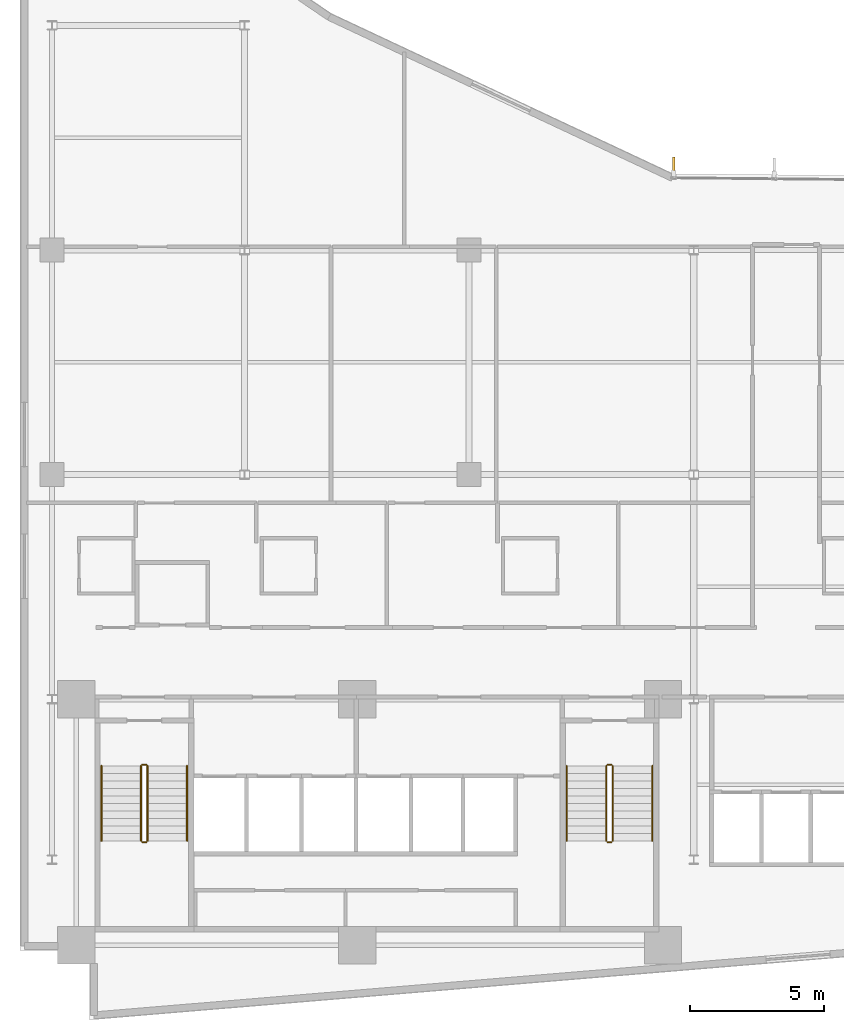
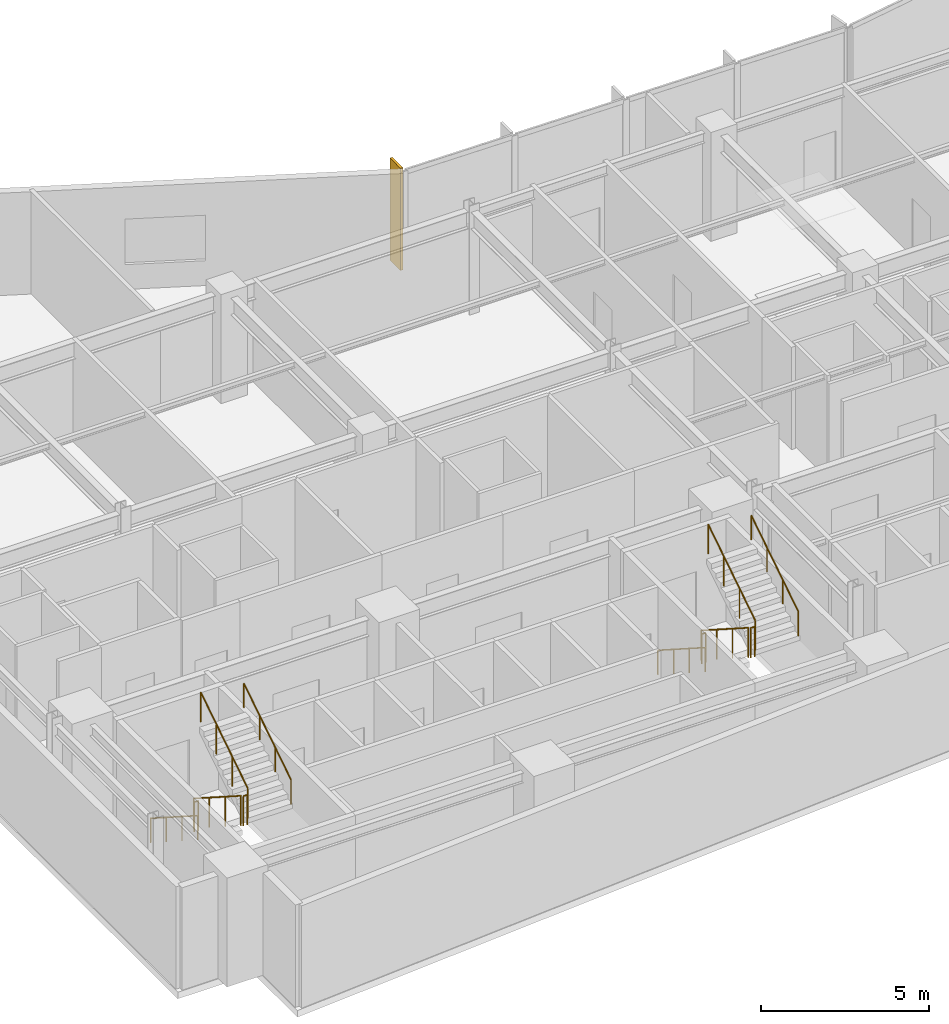
# One storey, part 15 of 19: 12 railings, 1 shading device.
"""IFC4 building model written with IfcOpenShell, lengths in metres."""

import ifcopenshell
import ifcopenshell.guid

model = None  # the IFC model being written
_history = None  # IfcOwnerHistory: only IFC2X3 demands one
_inside = {}  # id of a spatial element -> (the spatial element, [elements in it])
_under = {}  # id of a project, library or spatial element -> (it, [spatial elements below it])
_declared = {}  # id of a project -> (the project, [libraries it declares])
_typed = {}  # id of a type object -> (the type object, [elements of that type])
_made_of = {}  # id of a material, layer set ... -> (it, [elements and type objects made of it])


def new_model(schema):
    """Start an empty IFC model of exactly this schema.

    Asked for "IFC4X3", IfcOpenShell would pick the latest addendum, in which some entities
    have other attributes; the version numbers below select the first issue.
    IFC2X3 requires an IfcOwnerHistory on every rooted entity: one is made here for all.
    """
    global model, _history
    if schema == "IFC4X3":
        model = ifcopenshell.file(schema_version=(4, 3, 0, 0))
    else:
        model = ifcopenshell.file(schema=schema)
    _inside.clear()
    _under.clear()
    _declared.clear()
    _typed.clear()
    _made_of.clear()
    _history = None
    if model.schema == "IFC2X3":
        org = make("IfcOrganization", Name="unknown")
        user = make(
            "IfcPersonAndOrganization",
            ThePerson=make("IfcPerson", FamilyName="unknown"),
            TheOrganization=org,
        )
        app = make(
            "IfcApplication",
            ApplicationDeveloper=org,
            Version="unknown",
            ApplicationFullName="unknown",
            ApplicationIdentifier="unknown",
        )
        _history = make(
            "IfcOwnerHistory",
            OwningUser=user,
            OwningApplication=app,
            ChangeAction="ADDED",
            CreationDate=0,
        )
    return model


def make(cls, **values):
    """One entity of the class cls with the attributes given. An attribute that is None is left unset."""
    return model.create_entity(
        cls, **{name: value for name, value in values.items() if value is not None}
    )


def rooted(cls, **values):
    """An entity with a GlobalId (a new one), such as an element, a storey or a relation."""
    return make(cls, GlobalId=ifcopenshell.guid.new(), OwnerHistory=_history, **values)


def si_unit(unit_type, name, prefix=None):
    """IfcSIUnit, for example si_unit("LENGTHUNIT", "METRE", prefix="MILLI")."""
    return make("IfcSIUnit", UnitType=unit_type, Prefix=prefix, Name=name)


def assignment(units):
    """IfcUnitAssignment: the units of a project."""
    return None if units is None else make("IfcUnitAssignment", Units=units)


def point(xyz):
    """IfcCartesianPoint."""
    return None if xyz is None else make("IfcCartesianPoint", Coordinates=xyz)


def direction(xyz):
    """IfcDirection."""
    return None if xyz is None else make("IfcDirection", DirectionRatios=xyz)


def frame(location, z_axis=None, x_axis=None):
    """IfcAxis2Placement3D, a coordinate frame: its origin and axes. An axis left out is left unset."""
    return make(
        "IfcAxis2Placement3D",
        Location=point(location),
        Axis=direction(z_axis),
        RefDirection=direction(x_axis),
    )


def frame_2d(location, x_axis=None):
    """IfcAxis2Placement2D, a coordinate frame in the plane: its origin and x axis."""
    return make(
        "IfcAxis2Placement2D", Location=point(location), RefDirection=direction(x_axis)
    )


def origin():
    """The frame at (0, 0, 0) with its axes left unset."""
    return frame((0.0, 0.0, 0.0))


def origin_2d():
    """The frame at (0, 0) in the plane with its x axis left unset."""
    return frame_2d((0.0, 0.0))


def place(relative_to, where):
    """IfcLocalPlacement: puts the frame where relative to a parent placement (None: the world)."""
    return make(
        "IfcLocalPlacement", PlacementRelTo=relative_to, RelativePlacement=where
    )


def context(
    kind, dimensions, precision=None, world=None, true_north=None, identifier=None
):
    """IfcGeometricRepresentationContext, for example the 3D "Model" context."""
    return make(
        "IfcGeometricRepresentationContext",
        ContextIdentifier=identifier,
        ContextType=kind,
        CoordinateSpaceDimension=dimensions,
        Precision=precision,
        WorldCoordinateSystem=world,
        TrueNorth=true_north,
    )


def subcontext(parent, identifier, kind, view, scale=None):
    """IfcGeometricRepresentationSubContext, for example "Body" below "Model"."""
    return make(
        "IfcGeometricRepresentationSubContext",
        ContextIdentifier=identifier,
        ContextType=kind,
        ParentContext=parent,
        TargetScale=scale,
        TargetView=view,
    )


def project(units=None, contexts=None):
    """IfcProject with its units and contexts."""
    return rooted(
        "IfcProject",
        Name="project",
        RepresentationContexts=contexts,
        UnitsInContext=assignment(units),
    )


def spatial(cls, under=None, at=None, **own):
    """A site, building, storey or space (cls), placed at a placement, below another one or the project."""
    s = rooted(cls, ObjectPlacement=at, **own)
    if under is not None:
        _under.setdefault(under.id(), (under, []))[1].append(s)
    return s


def profile(cls, at=None, kind="AREA", **sizes):
    """A parametric profile (cls). Its sizes go by their IFC names, for example OverallWidth=200.0."""
    return make(cls, ProfileType=kind, Position=at, **sizes)


def rectangle(**sizes):
    """IfcRectangleProfileDef."""
    return profile("IfcRectangleProfileDef", **sizes)


def circle(**sizes):
    """IfcCircleProfileDef."""
    return profile("IfcCircleProfileDef", **sizes)


def extrude(swept, where, along, depth):
    """IfcExtrudedAreaSolid: the profile swept, set in the frame where, extruded along a direction by depth."""
    return make(
        "IfcExtrudedAreaSolid",
        SweptArea=swept,
        Position=where,
        ExtrudedDirection=direction(along),
        Depth=depth,
    )


def shape(context_of_items, identifier, shape_type, items):
    """IfcShapeRepresentation: the items that make up one representation, for example the "Body"."""
    return make(
        "IfcShapeRepresentation",
        ContextOfItems=context_of_items,
        RepresentationIdentifier=identifier,
        RepresentationType=shape_type,
        Items=items,
    )


def material(Name=None, Category=None):
    """IfcMaterial."""
    return make("IfcMaterial", Name=Name, Category=Category)


def layer(
    of_material, thickness, ventilated=None, Name=None, Category=None, Priority=None
):
    """IfcMaterialLayer: one layer of a wall or slab, of a material (None: an air gap)."""
    return make(
        "IfcMaterialLayer",
        Material=of_material,
        LayerThickness=thickness,
        IsVentilated=ventilated,
        Name=Name,
        Category=Category,
        Priority=Priority,
    )


def layer_set(layers, Name=None):
    """IfcMaterialLayerSet."""
    return make("IfcMaterialLayerSet", MaterialLayers=layers, LayerSetName=Name)


def made_of(thing, what):
    """Note that an element or type object is made of a material, layer set ...; save() writes the relation."""
    if what is not None:
        _made_of.setdefault(what.id(), (what, []))[1].append(thing)
    return thing


def type_object(cls, material=None, **own):
    """A type object (cls), such as IfcWallType, which elements share."""
    return made_of(rooted(cls, **own), material)


def element(
    cls,
    number,
    at=None,
    inside=None,
    cuts=None,
    type_object=None,
    material=None,
    context=None,
    identifier="Body",
    shape_type=None,
    held_by="IfcProductDefinitionShape",
    body=None,
    shapes=None,
    **own,
):
    """One element of the class cls, such as IfcWall. Its Tag is "e" and its number.

    at: its placement. inside: the storey or other place that contains it. cuts: it is an
    opening in that element (IfcRelVoidsElement). A single representation is given by context,
    identifier, shape_type and body (its items); several are given by shapes. held_by: the class
    of the entity that holds the representations. save() writes the other relations.
    """
    e = rooted(cls, Tag="e%d" % number, ObjectPlacement=at, **own)
    if body is not None:
        shapes = [shape(context, identifier, shape_type, body)]
    if shapes is not None:
        e.Representation = make(held_by, Representations=shapes)
    if inside is not None:
        _inside.setdefault(inside.id(), (inside, []))[1].append(e)
    if cuts is not None:
        rooted(
            "IfcRelVoidsElement", RelatingBuildingElement=cuts, RelatedOpeningElement=e
        )
    if type_object is not None:
        _typed.setdefault(type_object.id(), (type_object, []))[1].append(e)
    return made_of(e, material)


def aggregate(whole, parts):
    """IfcRelAggregates: a whole, such as a stair, and the parts it consists of."""
    return rooted("IfcRelAggregates", RelatingObject=whole, RelatedObjects=parts)


def save(model, path):
    """Write the relations noted so far, then the file.

    IfcRelAggregates (storeys below a building ...), IfcRelContainedInSpatialStructure (elements
    in a storey), IfcRelDefinesByType, IfcRelAssociatesMaterial and IfcRelDeclares: one each for
    every whole, place, type object, material and project.
    """
    for whole, parts in _under.values():
        aggregate(whole, parts)
    for where, things in _inside.values():
        rooted(
            "IfcRelContainedInSpatialStructure",
            RelatedElements=things,
            RelatingStructure=where,
        )
    for kind, things in _typed.values():
        rooted("IfcRelDefinesByType", RelatedObjects=things, RelatingType=kind)
    for what, things in _made_of.values():
        rooted("IfcRelAssociatesMaterial", RelatedObjects=things, RelatingMaterial=what)
    for by, libraries in _declared.values():
        rooted("IfcRelDeclares", RelatingContext=by, RelatedDefinitions=libraries)
    model.write(path)


model = new_model("IFC4")

# Units and contexts
model_context = context("Model", 3, precision=1e-05, world=origin(), true_north=direction((0.0, 1.0)))
body_context = subcontext(model_context, "Body", "Model", "MODEL_VIEW")
ifc_project = project(units=[si_unit("LENGTHUNIT", "METRE"), si_unit("AREAUNIT", "SQUARE_METRE"), si_unit("VOLUMEUNIT", "CUBIC_METRE"), si_unit("PLANEANGLEUNIT", "RADIAN"), si_unit("MASSUNIT", "GRAM", prefix="KILO")], contexts=[model_context])

# Site, building, storey
site_placement = place(None, origin())
site = spatial("IfcSite", under=ifc_project, at=site_placement, CompositionType="ELEMENT")
building_placement = place(site_placement, origin())
building = spatial("IfcBuilding", under=site, at=building_placement, Name="Varnakote Quay Hospital", CompositionType="ELEMENT")
storey_placement = place(building_placement, frame((0.0, 0.0, 54.10009765625)))
storey = spatial("IfcBuildingStorey", under=building, at=storey_placement, Name="L13", CompositionType="ELEMENT", Elevation=54.10009765625)

# Railings
ifc_material_1 = material(Name="Brushed stainless steel balustrade", Category="steel")
railing_type_1 = type_object("IfcRailingType", Name="RLG-STAIR-GUARD-1150", PredefinedType="GUARDRAIL", material=ifc_material_1)
railing_1_placement = place(storey_placement, frame((4.530029296875, 9.5, 0.179443359375)))
element("IfcRailing", 1, at=railing_1_placement, inside=storey, type_object=railing_type_1, Name="L13 ST-01 stair guard 1", PredefinedType="GUARDRAIL", context=body_context, shape_type="SweptSolid", body=[
    extrude(circle(Radius=0.02392578125, at=origin_2d()), frame((0.0, 0.0, 1.076171875), z_axis=(0.0, -0.841809871826, 0.539774156196), x_axis=(1.0, 0.0, 0.0)), (0.0, 0.0, 1.0), 3.326171875),
    extrude(circle(Radius=0.02099609375, at=origin_2d()), origin(), (0.0, 0.0, 1.0), 1.052001953125),
    extrude(circle(Radius=0.02099609375, at=origin_2d()), frame((0.0, -0.933349609375, 0.598388671875)), (0.0, 0.0, 1.0), 1.052001953125),
    extrude(circle(Radius=0.02099609375, at=origin_2d()), frame((0.0, -1.86669921875, 1.197021484375)), (0.0, 0.0, 1.0), 1.052001953125),
    extrude(circle(Radius=0.02099609375, at=origin_2d()), frame((0.0, -2.800048828125, 1.79541015625)), (0.0, 0.0, 1.0), 1.052001953125),
])
railing_2_placement = place(storey_placement, frame((4.580078125, 6.64990234375, 1.974853515625)))
element("IfcRailing", 2, at=railing_2_placement, inside=storey, type_object=railing_type_1, Name="L13 ST-01 stair guard 2", PredefinedType="GUARDRAIL", context=body_context, shape_type="SweptSolid", body=[
    extrude(circle(Radius=0.02392578125, at=origin_2d()), frame((0.0, 0.0, 1.076171875), z_axis=(1.0, 0.0, 0.0), x_axis=(0.0, 1.0, 0.0)), (0.0, 0.0, 1.0), 0.139892578125),
    extrude(circle(Radius=0.02099609375, at=origin_2d()), origin(), (0.0, 0.0, 1.0), 1.052001953125),
    extrude(circle(Radius=0.02099609375, at=origin_2d()), frame((0.139892578125, 0.0, 0.0)), (0.0, 0.0, 1.0), 1.052001953125),
])
railing_3_placement = place(storey_placement, frame((4.77001953125, 6.699951171875, 2.154541015625)))
element("IfcRailing", 3, at=railing_3_placement, inside=storey, type_object=railing_type_1, Name="L13 ST-01 stair guard 3", PredefinedType="GUARDRAIL", context=body_context, shape_type="SweptSolid", body=[
    extrude(circle(Radius=0.02392578125, at=origin_2d()), frame((0.0, 0.0, 1.076171875), z_axis=(0.0, 0.841809871826, 0.539774156196), x_axis=(-1.0, 0.0, 0.0)), (0.0, 0.0, 1.0), 3.326171875),
    extrude(circle(Radius=0.02099609375, at=origin_2d()), origin(), (0.0, 0.0, 1.0), 1.052001953125),
    extrude(circle(Radius=0.02099609375, at=origin_2d()), frame((0.0, 0.933349609375, 0.598388671875)), (0.0, 0.0, 1.0), 1.052001953125),
    extrude(circle(Radius=0.02099609375, at=origin_2d()), frame((0.0, 1.86669921875, 1.197021484375)), (0.0, 0.0, 1.0), 1.052001953125),
    extrude(circle(Radius=0.02099609375, at=origin_2d()), frame((0.0, 2.800048828125, 1.79541015625)), (0.0, 0.0, 1.0), 1.052001953125),
])
railing_4_placement = place(storey_placement, frame((4.580078125, 9.550048828125, 0.0)))
element("IfcRailing", 4, at=railing_4_placement, inside=storey, type_object=railing_type_1, Name="L13 ST-01 stair guard 4", PredefinedType="GUARDRAIL", context=body_context, shape_type="SweptSolid", body=[
    extrude(circle(Radius=0.02392578125, at=origin_2d()), frame((0.0, 0.0, 1.076171875), z_axis=(1.0, 0.0, 0.0), x_axis=(0.0, 1.0, 0.0)), (0.0, 0.0, 1.0), 0.139892578125),
    extrude(circle(Radius=0.02099609375, at=origin_2d()), origin(), (0.0, 0.0, 1.0), 1.052001953125),
    extrude(circle(Radius=0.02099609375, at=origin_2d()), frame((0.139892578125, 0.0, 0.0)), (0.0, 0.0, 1.0), 1.052001953125),
])
railing_5_placement = place(storey_placement, frame((21.929931640625, 9.5, 0.179443359375)))
element("IfcRailing", 5, at=railing_5_placement, inside=storey, type_object=railing_type_1, Name="L13 ST-02 stair guard 1", PredefinedType="GUARDRAIL", context=body_context, shape_type="SweptSolid", body=[
    extrude(circle(Radius=0.02392578125, at=origin_2d()), frame((0.0, 0.0, 1.076171875), z_axis=(0.0, -0.841809871826, 0.539774156196), x_axis=(1.0, 0.0, 0.0)), (0.0, 0.0, 1.0), 3.326171875),
    extrude(circle(Radius=0.02099609375, at=origin_2d()), origin(), (0.0, 0.0, 1.0), 1.052001953125),
    extrude(circle(Radius=0.02099609375, at=origin_2d()), frame((0.0, -0.933349609375, 0.598388671875)), (0.0, 0.0, 1.0), 1.052001953125),
    extrude(circle(Radius=0.02099609375, at=origin_2d()), frame((0.0, -1.86669921875, 1.197021484375)), (0.0, 0.0, 1.0), 1.052001953125),
    extrude(circle(Radius=0.02099609375, at=origin_2d()), frame((0.0, -2.800048828125, 1.79541015625)), (0.0, 0.0, 1.0), 1.052001953125),
])
railing_6_placement = place(storey_placement, frame((21.97998046875, 6.64990234375, 1.974853515625)))
element("IfcRailing", 6, at=railing_6_placement, inside=storey, type_object=railing_type_1, Name="L13 ST-02 stair guard 2", PredefinedType="GUARDRAIL", context=body_context, shape_type="SweptSolid", body=[
    extrude(circle(Radius=0.02392578125, at=origin_2d()), frame((0.0, 0.0, 1.076171875), z_axis=(1.0, 0.0, 0.0), x_axis=(0.0, 1.0, 0.0)), (0.0, 0.0, 1.0), 0.14013671875),
    extrude(circle(Radius=0.02099609375, at=origin_2d()), origin(), (0.0, 0.0, 1.0), 1.052001953125),
    extrude(circle(Radius=0.02099609375, at=origin_2d()), frame((0.14013671875, 0.0, 0.0)), (0.0, 0.0, 1.0), 1.052001953125),
])
railing_7_placement = place(storey_placement, frame((22.169921875, 6.699951171875, 2.154541015625)))
element("IfcRailing", 7, at=railing_7_placement, inside=storey, type_object=railing_type_1, Name="L13 ST-02 stair guard 3", PredefinedType="GUARDRAIL", context=body_context, shape_type="SweptSolid", body=[
    extrude(circle(Radius=0.02392578125, at=origin_2d()), frame((0.0, 0.0, 1.076171875), z_axis=(0.0, 0.841809871826, 0.539774156196), x_axis=(-1.0, 0.0, 0.0)), (0.0, 0.0, 1.0), 3.326171875),
    extrude(circle(Radius=0.02099609375, at=origin_2d()), origin(), (0.0, 0.0, 1.0), 1.052001953125),
    extrude(circle(Radius=0.02099609375, at=origin_2d()), frame((0.0, 0.933349609375, 0.598388671875)), (0.0, 0.0, 1.0), 1.052001953125),
    extrude(circle(Radius=0.02099609375, at=origin_2d()), frame((0.0, 1.86669921875, 1.197021484375)), (0.0, 0.0, 1.0), 1.052001953125),
    extrude(circle(Radius=0.02099609375, at=origin_2d()), frame((0.0, 2.800048828125, 1.79541015625)), (0.0, 0.0, 1.0), 1.052001953125),
])
railing_8_placement = place(storey_placement, frame((21.97998046875, 9.550048828125, 0.0)))
element("IfcRailing", 8, at=railing_8_placement, inside=storey, type_object=railing_type_1, Name="L13 ST-02 stair guard 4", PredefinedType="GUARDRAIL", context=body_context, shape_type="SweptSolid", body=[
    extrude(circle(Radius=0.02392578125, at=origin_2d()), frame((0.0, 0.0, 1.076171875), z_axis=(1.0, 0.0, 0.0), x_axis=(0.0, 1.0, 0.0)), (0.0, 0.0, 1.0), 0.14013671875),
    extrude(circle(Radius=0.02099609375, at=origin_2d()), origin(), (0.0, 0.0, 1.0), 1.052001953125),
    extrude(circle(Radius=0.02099609375, at=origin_2d()), frame((0.14013671875, 0.0, 0.0)), (0.0, 0.0, 1.0), 1.052001953125),
])
ifc_material_2 = material(Name="Brushed stainless steel handrail", Category="steel")
railing_type_2 = type_object("IfcRailingType", Name="RLG-STAIR-HND-920", PredefinedType="HANDRAIL", material=ifc_material_2)
railing_9_placement = place(storey_placement, frame((3.050048828125, 9.5, 0.179443359375)))
element("IfcRailing", 9, at=railing_9_placement, inside=storey, type_object=railing_type_2, Name="L13 ST-01 stair handrail 1", PredefinedType="HANDRAIL", context=body_context, shape_type="SweptSolid", body=[
    extrude(circle(Radius=0.02392578125, at=origin_2d()), frame((0.0, 0.0, 0.8759765625), z_axis=(0.0, -0.841809871826, 0.539774156196), x_axis=(1.0, 0.0, 0.0)), (0.0, 0.0, 1.0), 3.326171875),
    extrude(circle(Radius=0.02099609375, at=origin_2d()), origin(), (0.0, 0.0, 1.0), 0.851806640625),
    extrude(circle(Radius=0.02099609375, at=origin_2d()), frame((0.0, -0.933349609375, 0.598388671875)), (0.0, 0.0, 1.0), 0.851806640625),
    extrude(circle(Radius=0.02099609375, at=origin_2d()), frame((0.0, -1.86669921875, 1.197021484375)), (0.0, 0.0, 1.0), 0.851806640625),
    extrude(circle(Radius=0.02099609375, at=origin_2d()), frame((0.0, -2.800048828125, 1.79541015625)), (0.0, 0.0, 1.0), 0.851806640625),
])
railing_10_placement = place(storey_placement, frame((6.25, 6.699951171875, 2.154541015625)))
element("IfcRailing", 10, at=railing_10_placement, inside=storey, type_object=railing_type_2, Name="L13 ST-01 stair handrail 2", PredefinedType="HANDRAIL", context=body_context, shape_type="SweptSolid", body=[
    extrude(circle(Radius=0.02392578125, at=origin_2d()), frame((0.0, 0.0, 0.8759765625), z_axis=(0.0, 0.841809871826, 0.539774156196), x_axis=(-1.0, 0.0, 0.0)), (0.0, 0.0, 1.0), 3.326171875),
    extrude(circle(Radius=0.02099609375, at=origin_2d()), origin(), (0.0, 0.0, 1.0), 0.851806640625),
    extrude(circle(Radius=0.02099609375, at=origin_2d()), frame((0.0, 0.933349609375, 0.598388671875)), (0.0, 0.0, 1.0), 0.851806640625),
    extrude(circle(Radius=0.02099609375, at=origin_2d()), frame((0.0, 1.86669921875, 1.197021484375)), (0.0, 0.0, 1.0), 0.851806640625),
    extrude(circle(Radius=0.02099609375, at=origin_2d()), frame((0.0, 2.800048828125, 1.79541015625)), (0.0, 0.0, 1.0), 0.851806640625),
])
railing_11_placement = place(storey_placement, frame((20.449951171875, 9.5, 0.179443359375)))
element("IfcRailing", 11, at=railing_11_placement, inside=storey, type_object=railing_type_2, Name="L13 ST-02 stair handrail 1", PredefinedType="HANDRAIL", context=body_context, shape_type="SweptSolid", body=[
    extrude(circle(Radius=0.02392578125, at=origin_2d()), frame((0.0, 0.0, 0.8759765625), z_axis=(0.0, -0.841809871826, 0.539774156196), x_axis=(1.0, 0.0, 0.0)), (0.0, 0.0, 1.0), 3.326171875),
    extrude(circle(Radius=0.02099609375, at=origin_2d()), origin(), (0.0, 0.0, 1.0), 0.851806640625),
    extrude(circle(Radius=0.02099609375, at=origin_2d()), frame((0.0, -0.933349609375, 0.598388671875)), (0.0, 0.0, 1.0), 0.851806640625),
    extrude(circle(Radius=0.02099609375, at=origin_2d()), frame((0.0, -1.86669921875, 1.197021484375)), (0.0, 0.0, 1.0), 0.851806640625),
    extrude(circle(Radius=0.02099609375, at=origin_2d()), frame((0.0, -2.800048828125, 1.79541015625)), (0.0, 0.0, 1.0), 0.851806640625),
])
railing_12_placement = place(storey_placement, frame((23.64990234375, 6.699951171875, 2.154541015625)))
element("IfcRailing", 12, at=railing_12_placement, inside=storey, type_object=railing_type_2, Name="L13 ST-02 stair handrail 2", PredefinedType="HANDRAIL", context=body_context, shape_type="SweptSolid", body=[
    extrude(circle(Radius=0.02392578125, at=origin_2d()), frame((0.0, 0.0, 0.8759765625), z_axis=(0.0, 0.841809871826, 0.539774156196), x_axis=(-1.0, 0.0, 0.0)), (0.0, 0.0, 1.0), 3.326171875),
    extrude(circle(Radius=0.02099609375, at=origin_2d()), origin(), (0.0, 0.0, 1.0), 0.851806640625),
    extrude(circle(Radius=0.02099609375, at=origin_2d()), frame((0.0, 0.933349609375, 0.598388671875)), (0.0, 0.0, 1.0), 0.851806640625),
    extrude(circle(Radius=0.02099609375, at=origin_2d()), frame((0.0, 1.86669921875, 1.197021484375)), (0.0, 0.0, 1.0), 0.851806640625),
    extrude(circle(Radius=0.02099609375, at=origin_2d()), frame((0.0, 2.800048828125, 1.79541015625)), (0.0, 0.0, 1.0), 0.851806640625),
])

# Shading device
ifc_material_3 = material(Name="Anodised aluminium 6063-T6 Bronze", Category="aluminium")
ifc_layer = layer(ifc_material_3, 0.0849609375)
ifc_layer_set = layer_set([ifc_layer], Name="Anodised aluminium 6063-T6 Bronze")
shading_device_type = type_object("IfcShadingDeviceType", Name="SHD-BRONZE-FIN-620", PredefinedType="USERDEFINED", material=ifc_layer_set)
shading_device_placement = place(storey_placement, frame((24.44970703125, 31.9619140625, 0.0), z_axis=(0.0, 0.0, 1.0), x_axis=(-0.009773688199, -0.999952236369, 0.0)))
element("IfcShadingDevice", 13, at=shading_device_placement, inside=storey, type_object=shading_device_type, Name="L13 Anodised Bronze Vertical Shading FIN", ObjectType="FIN", PredefinedType="USERDEFINED", context=body_context, shape_type="SweptSolid", body=[
    extrude(rectangle(XDim=0.6201171875, YDim=0.0849609375, at=origin_2d()), origin(), (0.0, 0.0, 1.0), 3.7099609375),
])

save(model, "model.ifc")
